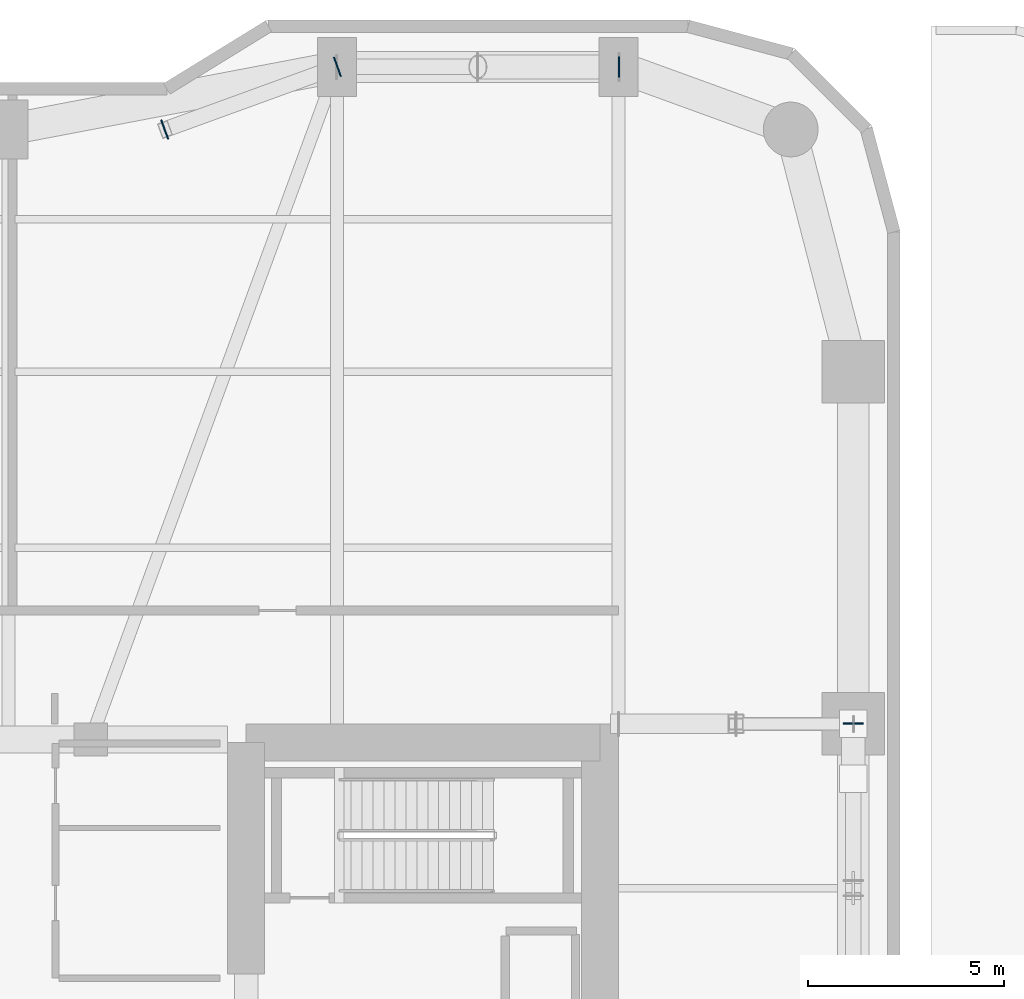
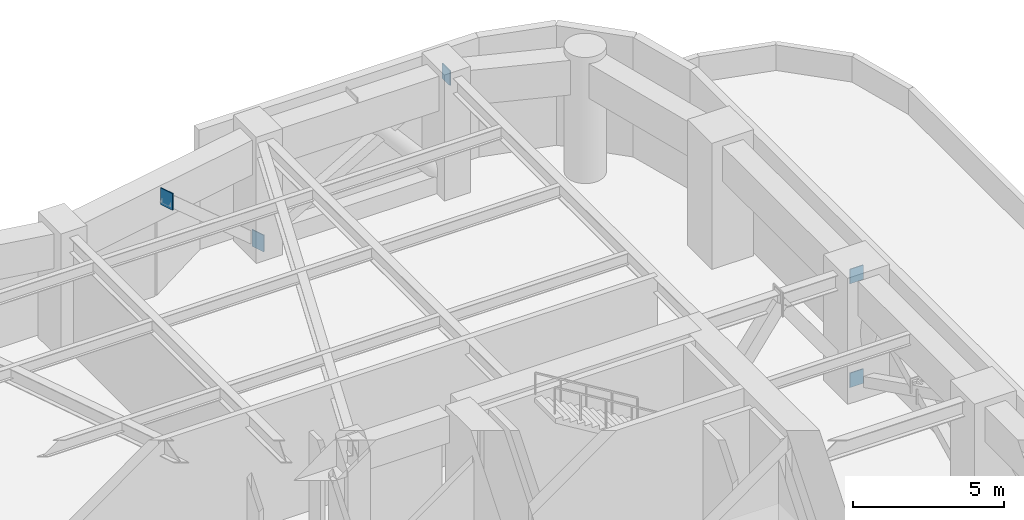
# One storey, part 11 of 16: 5 plates.
"""IFC4 building model written with IfcOpenShell, lengths in metres."""

from ifc_helpers import new_model, si_unit, direction, frame, origin, origin_2d, place, context, subcontext, project, spatial, rectangle, extrude, material, layer, layer_set, type_object, element, save


model = new_model("IFC4")

# Units and contexts
model_context = context("Model", 3, precision=1e-05, world=origin(), true_north=direction((0.0, 1.0)))
body_context = subcontext(model_context, "Body", "Model", "MODEL_VIEW")
ifc_project = project(units=[si_unit("LENGTHUNIT", "METRE"), si_unit("AREAUNIT", "SQUARE_METRE"), si_unit("VOLUMEUNIT", "CUBIC_METRE"), si_unit("PLANEANGLEUNIT", "RADIAN"), si_unit("MASSUNIT", "GRAM", prefix="KILO")], contexts=[model_context])

# Site, building, storey
site_placement = place(None, origin())
site = spatial("IfcSite", under=ifc_project, at=site_placement, CompositionType="ELEMENT")
building_placement = place(site_placement, origin())
building = spatial("IfcBuilding", under=site, at=building_placement, Name="Kiyonajd Concourse Tower", CompositionType="ELEMENT")
storey_placement = place(building_placement, frame((0.0, 0.0, 80.699951171875)))
storey = spatial("IfcBuildingStorey", under=building, at=storey_placement, Name="L21", CompositionType="ELEMENT", Elevation=80.699951171875)

# Plates
ifc_material = material(Name="Steel ASTM A572 Grade 50", Category="steel")
ifc_layer = layer(ifc_material, 0.031982421875)
ifc_layer_set = layer_set([ifc_layer], Name="Steel ASTM A572 Grade 50")
plate_type = type_object("IfcPlateType", Name="PL-CAP-540", PredefinedType="USERDEFINED", material=ifc_layer_set)
for number, where, z_axis, x_axis, name in (
    (1, (51.9921875, 59.59716796875, 4.15869140625), (0.0, 0.0, 1.0), (-0.939811951086, -0.341692107891, 0.0), "L21 Outrigger End Cap Plate 15"),
    (2, (56.40771484375, 61.202880859375, -0.0458984375), (0.0, 0.0, 1.0), (0.939811951086, 0.341692107891, 0.0), "L21 Outrigger Far End Cap Plate 15"),
):
    element("IfcPlate", number, at=place(storey_placement, frame(where, z_axis=z_axis, x_axis=x_axis)), inside=storey, type_object=plate_type, Name=name, ObjectType="CAP PLATE", PredefinedType="USERDEFINED", context=body_context, shape_type="SweptSolid", body=[
        extrude(rectangle(XDim=0.035888671875, YDim=0.52001953125, at=origin_2d()), origin(), (0.0, 0.0, 1.0), 0.677001953125),
    ])
plate_placement = place(storey_placement, frame((63.609619140625, 61.199951171875, 4.194091796875), z_axis=(0.0, 0.0, 1.0), x_axis=(1.0, 0.0, 0.0)))
element("IfcPlate", 3, at=plate_placement, inside=storey, type_object=plate_type, Name="L21 Outrigger Far End Cap Plate 16", ObjectType="CAP PLATE", PredefinedType="USERDEFINED", context=body_context, shape_type="SweptSolid", body=[
    extrude(rectangle(XDim=0.035888671875, YDim=0.52001953125, at=origin_2d()), origin(), (0.0, 0.0, 1.0), 0.60302734375),
])
for number, where, z_axis, x_axis, name in (
    (4, (69.60009765625, 44.409912109375, 0.001708984375), (0.0, 0.0, 1.0), (0.0, 1.0, 0.0), "L21 X Brace Far End Cap E2"),
    (5, (69.60009765625, 44.409912109375, 4.201416015625), (0.0, 0.0, 1.0), (0.0, 1.0, 0.0), "L21 Split X Brace Outer Cap E2"),
):
    element("IfcPlate", number, at=place(storey_placement, frame(where, z_axis=z_axis, x_axis=x_axis)), inside=storey, type_object=plate_type, Name=name, ObjectType="CAP PLATE", PredefinedType="USERDEFINED", context=body_context, shape_type="SweptSolid", body=[
        extrude(rectangle(XDim=0.035888671875, YDim=0.52001953125, at=origin_2d()), origin(), (0.0, 0.0, 1.0), 0.5869140625),
    ])

save(model, "model.ifc")
